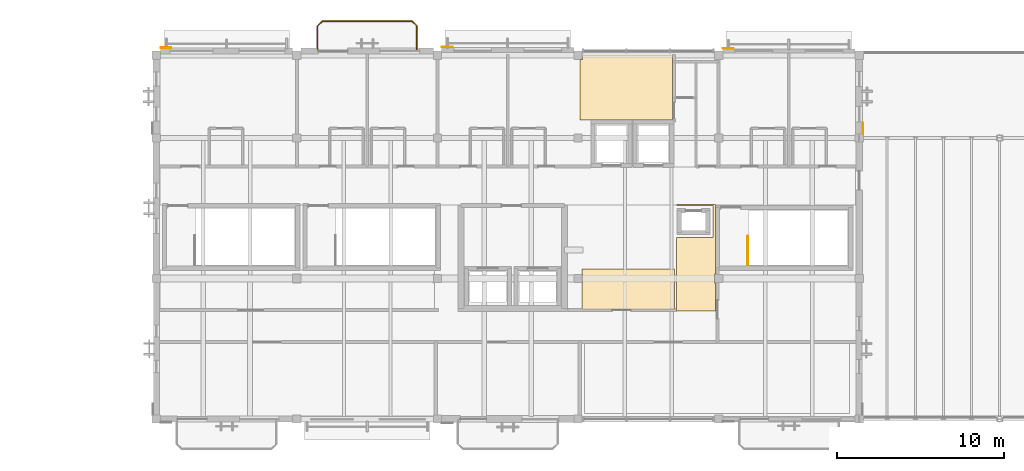
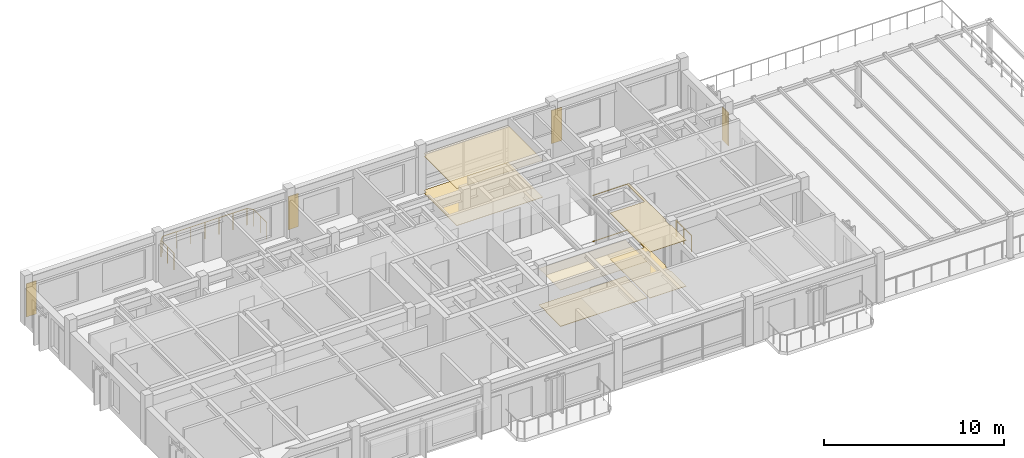
# One storey, part 23 of 24: 10 coverings, 2 railings.
"""IFC4 building model written with IfcOpenShell, lengths in metres."""

import ifcopenshell
import ifcopenshell.guid

model = None  # the IFC model being written
_history = None  # IfcOwnerHistory: only IFC2X3 demands one
_inside = {}  # id of a spatial element -> (the spatial element, [elements in it])
_under = {}  # id of a project, library or spatial element -> (it, [spatial elements below it])
_declared = {}  # id of a project -> (the project, [libraries it declares])
_typed = {}  # id of a type object -> (the type object, [elements of that type])
_made_of = {}  # id of a material, layer set ... -> (it, [elements and type objects made of it])


def new_model(schema):
    """Start an empty IFC model of exactly this schema.

    Asked for "IFC4X3", IfcOpenShell would pick the latest addendum, in which some entities
    have other attributes; the version numbers below select the first issue.
    IFC2X3 requires an IfcOwnerHistory on every rooted entity: one is made here for all.
    """
    global model, _history
    if schema == "IFC4X3":
        model = ifcopenshell.file(schema_version=(4, 3, 0, 0))
    else:
        model = ifcopenshell.file(schema=schema)
    _inside.clear()
    _under.clear()
    _declared.clear()
    _typed.clear()
    _made_of.clear()
    _history = None
    if model.schema == "IFC2X3":
        org = make("IfcOrganization", Name="unknown")
        user = make(
            "IfcPersonAndOrganization",
            ThePerson=make("IfcPerson", FamilyName="unknown"),
            TheOrganization=org,
        )
        app = make(
            "IfcApplication",
            ApplicationDeveloper=org,
            Version="unknown",
            ApplicationFullName="unknown",
            ApplicationIdentifier="unknown",
        )
        _history = make(
            "IfcOwnerHistory",
            OwningUser=user,
            OwningApplication=app,
            ChangeAction="ADDED",
            CreationDate=0,
        )
    return model


def make(cls, **values):
    """One entity of the class cls with the attributes given. An attribute that is None is left unset."""
    return model.create_entity(
        cls, **{name: value for name, value in values.items() if value is not None}
    )


def rooted(cls, **values):
    """An entity with a GlobalId (a new one), such as an element, a storey or a relation."""
    return make(cls, GlobalId=ifcopenshell.guid.new(), OwnerHistory=_history, **values)


def si_unit(unit_type, name, prefix=None):
    """IfcSIUnit, for example si_unit("LENGTHUNIT", "METRE", prefix="MILLI")."""
    return make("IfcSIUnit", UnitType=unit_type, Prefix=prefix, Name=name)


def assignment(units):
    """IfcUnitAssignment: the units of a project."""
    return None if units is None else make("IfcUnitAssignment", Units=units)


def point(xyz):
    """IfcCartesianPoint."""
    return None if xyz is None else make("IfcCartesianPoint", Coordinates=xyz)


def direction(xyz):
    """IfcDirection."""
    return None if xyz is None else make("IfcDirection", DirectionRatios=xyz)


def frame(location, z_axis=None, x_axis=None):
    """IfcAxis2Placement3D, a coordinate frame: its origin and axes. An axis left out is left unset."""
    return make(
        "IfcAxis2Placement3D",
        Location=point(location),
        Axis=direction(z_axis),
        RefDirection=direction(x_axis),
    )


def frame_2d(location, x_axis=None):
    """IfcAxis2Placement2D, a coordinate frame in the plane: its origin and x axis."""
    return make(
        "IfcAxis2Placement2D", Location=point(location), RefDirection=direction(x_axis)
    )


def origin():
    """The frame at (0, 0, 0) with its axes left unset."""
    return frame((0.0, 0.0, 0.0))


def origin_2d():
    """The frame at (0, 0) in the plane with its x axis left unset."""
    return frame_2d((0.0, 0.0))


def place(relative_to, where):
    """IfcLocalPlacement: puts the frame where relative to a parent placement (None: the world)."""
    return make(
        "IfcLocalPlacement", PlacementRelTo=relative_to, RelativePlacement=where
    )


def context(
    kind, dimensions, precision=None, world=None, true_north=None, identifier=None
):
    """IfcGeometricRepresentationContext, for example the 3D "Model" context."""
    return make(
        "IfcGeometricRepresentationContext",
        ContextIdentifier=identifier,
        ContextType=kind,
        CoordinateSpaceDimension=dimensions,
        Precision=precision,
        WorldCoordinateSystem=world,
        TrueNorth=true_north,
    )


def subcontext(parent, identifier, kind, view, scale=None):
    """IfcGeometricRepresentationSubContext, for example "Body" below "Model"."""
    return make(
        "IfcGeometricRepresentationSubContext",
        ContextIdentifier=identifier,
        ContextType=kind,
        ParentContext=parent,
        TargetScale=scale,
        TargetView=view,
    )


def project(units=None, contexts=None):
    """IfcProject with its units and contexts."""
    return rooted(
        "IfcProject",
        Name="project",
        RepresentationContexts=contexts,
        UnitsInContext=assignment(units),
    )


def spatial(cls, under=None, at=None, **own):
    """A site, building, storey or space (cls), placed at a placement, below another one or the project."""
    s = rooted(cls, ObjectPlacement=at, **own)
    if under is not None:
        _under.setdefault(under.id(), (under, []))[1].append(s)
    return s


def polyline(points):
    """IfcPolyline through the points."""
    return make("IfcPolyline", Points=[point(p) for p in points])


def profile(cls, at=None, kind="AREA", **sizes):
    """A parametric profile (cls). Its sizes go by their IFC names, for example OverallWidth=200.0."""
    return make(cls, ProfileType=kind, Position=at, **sizes)


def circle(**sizes):
    """IfcCircleProfileDef."""
    return profile("IfcCircleProfileDef", **sizes)


def outline(outer, holes=None, kind="AREA"):
    """IfcArbitraryClosedProfileDef: a profile drawn as a closed curve; with holes, ...WithVoids."""
    if holes is None:
        return make("IfcArbitraryClosedProfileDef", ProfileType=kind, OuterCurve=outer)
    return make(
        "IfcArbitraryProfileDefWithVoids",
        ProfileType=kind,
        OuterCurve=outer,
        InnerCurves=holes,
    )


def extrude(swept, where, along, depth):
    """IfcExtrudedAreaSolid: the profile swept, set in the frame where, extruded along a direction by depth."""
    return make(
        "IfcExtrudedAreaSolid",
        SweptArea=swept,
        Position=where,
        ExtrudedDirection=direction(along),
        Depth=depth,
    )


def shape(context_of_items, identifier, shape_type, items):
    """IfcShapeRepresentation: the items that make up one representation, for example the "Body"."""
    return make(
        "IfcShapeRepresentation",
        ContextOfItems=context_of_items,
        RepresentationIdentifier=identifier,
        RepresentationType=shape_type,
        Items=items,
    )


def material(Name=None, Category=None):
    """IfcMaterial."""
    return make("IfcMaterial", Name=Name, Category=Category)


def layer(
    of_material, thickness, ventilated=None, Name=None, Category=None, Priority=None
):
    """IfcMaterialLayer: one layer of a wall or slab, of a material (None: an air gap)."""
    return make(
        "IfcMaterialLayer",
        Material=of_material,
        LayerThickness=thickness,
        IsVentilated=ventilated,
        Name=Name,
        Category=Category,
        Priority=Priority,
    )


def layer_set(layers, Name=None):
    """IfcMaterialLayerSet."""
    return make("IfcMaterialLayerSet", MaterialLayers=layers, LayerSetName=Name)


def made_of(thing, what):
    """Note that an element or type object is made of a material, layer set ...; save() writes the relation."""
    if what is not None:
        _made_of.setdefault(what.id(), (what, []))[1].append(thing)
    return thing


def type_object(cls, material=None, **own):
    """A type object (cls), such as IfcWallType, which elements share."""
    return made_of(rooted(cls, **own), material)


def element(
    cls,
    number,
    at=None,
    inside=None,
    cuts=None,
    type_object=None,
    material=None,
    context=None,
    identifier="Body",
    shape_type=None,
    held_by="IfcProductDefinitionShape",
    body=None,
    shapes=None,
    **own,
):
    """One element of the class cls, such as IfcWall. Its Tag is "e" and its number.

    at: its placement. inside: the storey or other place that contains it. cuts: it is an
    opening in that element (IfcRelVoidsElement). A single representation is given by context,
    identifier, shape_type and body (its items); several are given by shapes. held_by: the class
    of the entity that holds the representations. save() writes the other relations.
    """
    e = rooted(cls, Tag="e%d" % number, ObjectPlacement=at, **own)
    if body is not None:
        shapes = [shape(context, identifier, shape_type, body)]
    if shapes is not None:
        e.Representation = make(held_by, Representations=shapes)
    if inside is not None:
        _inside.setdefault(inside.id(), (inside, []))[1].append(e)
    if cuts is not None:
        rooted(
            "IfcRelVoidsElement", RelatingBuildingElement=cuts, RelatedOpeningElement=e
        )
    if type_object is not None:
        _typed.setdefault(type_object.id(), (type_object, []))[1].append(e)
    return made_of(e, material)


def aggregate(whole, parts):
    """IfcRelAggregates: a whole, such as a stair, and the parts it consists of."""
    return rooted("IfcRelAggregates", RelatingObject=whole, RelatedObjects=parts)


def save(model, path):
    """Write the relations noted so far, then the file.

    IfcRelAggregates (storeys below a building ...), IfcRelContainedInSpatialStructure (elements
    in a storey), IfcRelDefinesByType, IfcRelAssociatesMaterial and IfcRelDeclares: one each for
    every whole, place, type object, material and project.
    """
    for whole, parts in _under.values():
        aggregate(whole, parts)
    for where, things in _inside.values():
        rooted(
            "IfcRelContainedInSpatialStructure",
            RelatedElements=things,
            RelatingStructure=where,
        )
    for kind, things in _typed.values():
        rooted("IfcRelDefinesByType", RelatedObjects=things, RelatingType=kind)
    for what, things in _made_of.values():
        rooted("IfcRelAssociatesMaterial", RelatedObjects=things, RelatingMaterial=what)
    for by, libraries in _declared.values():
        rooted("IfcRelDeclares", RelatingContext=by, RelatedDefinitions=libraries)
    model.write(path)


model = new_model("IFC4")

# Units and contexts
model_context = context("Model", 3, precision=1e-05, world=origin(), true_north=direction((0.0, 1.0)))
body_context = subcontext(model_context, "Body", "Model", "MODEL_VIEW")
ifc_project = project(units=[si_unit("LENGTHUNIT", "METRE"), si_unit("AREAUNIT", "SQUARE_METRE"), si_unit("VOLUMEUNIT", "CUBIC_METRE"), si_unit("PLANEANGLEUNIT", "RADIAN"), si_unit("MASSUNIT", "GRAM", prefix="KILO")], contexts=[model_context])

# Site, building, storey
site_placement = place(None, origin())
site = spatial("IfcSite", under=ifc_project, at=site_placement, CompositionType="ELEMENT")
building_placement = place(site_placement, origin())
building = spatial("IfcBuilding", under=site, at=building_placement, Name="Cumbredor Promenade Congress Hotel", CompositionType="ELEMENT")
storey_placement = place(building_placement, frame((0.0, 0.0, 35.280029296875)))
storey = spatial("IfcBuildingStorey", under=building, at=storey_placement, Name="L10", CompositionType="ELEMENT", Elevation=35.280029296875)

# Coverings
ifc_material_1 = material(Name="Acoustic mineral-fiber and gypsum ceiling")
ifc_layer_1 = layer(ifc_material_1, 0.02197265625, Name="Acoustic mineral-fiber and gypsum ceiling")
ifc_layer_set_1 = layer_set([ifc_layer_1], Name="Acoustic mineral-fiber and gypsum ceiling")
covering_type_1 = type_object("IfcCoveringType", Name="Acoustic Perforated Gypsum Ceiling CLG-02 22mm", PredefinedType="CEILING", material=ifc_layer_set_1)
covering_1_placement = place(storey_placement, frame((0.0, 0.0, 2.508056640625)))
element("IfcCovering", 1, at=covering_1_placement, inside=storey, type_object=covering_type_1, Name="L10 Cordillera Reading Salon Acoustic Ceiling", PredefinedType="CEILING", context=body_context, shape_type="SweptSolid", body=[
    extrude(outline(polyline([(39.239990234375, 114.1650390625), (39.239990234375, 110.280029296875), (33.72998046875, 110.280029296875), (33.72998046875, 113.89501953125), (33.85498046875, 113.89501953125), (33.85498046875, 114.1650390625), (39.239990234375, 114.1650390625)])), origin(), (0.0, 0.0, 1.0), 0.02197265625),
])
covering_2_placement = place(storey_placement, frame((0.0, 0.0, 2.468994140625)))
element("IfcCovering", 2, at=covering_2_placement, inside=storey, type_object=covering_type_1, Name="L10 Crown Diplomatic Boardroom Acoustic Ceiling", PredefinedType="CEILING", context=body_context, shape_type="SweptSolid", body=[
    extrude(outline(polyline([(33.830078125, 101.3701171875), (39.3701171875, 101.3701171875), (39.3701171875, 98.9599609375), (33.830078125, 98.9599609375), (33.830078125, 100.544921875), (33.85498046875, 100.544921875), (33.85498046875, 101.054931640625), (33.830078125, 101.054931640625), (33.830078125, 101.3701171875)])), origin(), (0.0, 0.0, 1.0), 0.02197265625),
])
ifc_layer_2 = layer(ifc_material_1, 0.028076171875, Name="Acoustic mineral-fiber and gypsum ceiling")
ifc_layer_set_2 = layer_set([ifc_layer_2], Name="Acoustic mineral-fiber and gypsum ceiling")
covering_type_2 = type_object("IfcCoveringType", Name="Acoustic Perforated Gypsum Ceiling CLG-03 28mm", PredefinedType="CEILING", material=ifc_layer_set_2)
covering_3_placement = place(storey_placement, frame((0.0, 0.0, 3.112060546875)))
element("IfcCovering", 3, at=covering_3_placement, inside=storey, type_object=covering_type_2, Name="L10 Crown Vestibule Acoustic Ceiling", PredefinedType="CEILING", context=body_context, shape_type="SweptSolid", body=[
    extrude(outline(polyline([(41.820068359375, 105.219970703125), (41.820068359375, 101.054931640625), (41.7451171875, 101.054931640625), (41.7451171875, 100.544921875), (41.820068359375, 100.544921875), (41.820068359375, 98.860107421875), (39.47998046875, 98.860107421875), (39.47998046875, 103.239990234375), (41.659912109375, 103.239990234375), (41.659912109375, 105.159912109375), (39.47998046875, 105.159912109375), (39.47998046875, 105.219970703125), (41.820068359375, 105.219970703125)])), origin(), (0.0, 0.0, 1.0), 0.02783203125),
])
ifc_material_2 = material(Name="Precast concrete C40/50", Category="concrete")
ifc_layer_3 = layer(ifc_material_2, 0.044921875, Name="Precast concrete C40/50", Category="concrete")
ifc_layer_set_3 = layer_set([ifc_layer_3], Name="Precast concrete C40/50")
covering_type_3 = type_object("IfcCoveringType", Name="Board-Formed Architectural Cladding Panel 45mm", PredefinedType="CLADDING", material=ifc_layer_set_3)
covering_4_placement = place(storey_placement, origin())
element("IfcCovering", 4, at=covering_4_placement, inside=storey, type_object=covering_type_3, Name="L10 Facade Stone Cladding Pier 258", PredefinedType="CLADDING", context=body_context, shape_type="SweptSolid", body=[
    extrude(outline(polyline([(8.65087890625, 114.574951171875), (9.301025390625, 114.574951171875), (9.301025390625, 114.6201171875), (8.65087890625, 114.6201171875), (8.65087890625, 114.574951171875)])), origin(), (0.0, 0.0, 1.0), 2.25),
])
covering_5_placement = place(storey_placement, origin())
element("IfcCovering", 5, at=covering_5_placement, inside=storey, type_object=covering_type_3, Name="L10 Facade Stone Cladding Pier 260", PredefinedType="CLADDING", context=body_context, shape_type="SweptSolid", body=[
    extrude(outline(polyline([(42.2509765625, 114.530029296875), (42.90087890625, 114.530029296875), (42.90087890625, 114.574951171875), (42.2509765625, 114.574951171875), (42.2509765625, 114.530029296875)])), origin(), (0.0, 0.0, 1.0), 2.25),
])
covering_6_placement = place(storey_placement, origin())
element("IfcCovering", 6, at=covering_6_placement, inside=storey, type_object=covering_type_3, Name="L10 Facade Stone Cladding Pier 264", PredefinedType="CLADDING", context=body_context, shape_type="SweptSolid", body=[
    extrude(outline(polyline([(50.612548828125, 109.450927734375), (50.612548828125, 110.10107421875), (50.657470703125, 110.10107421875), (50.657470703125, 109.450927734375), (50.612548828125, 109.450927734375)])), origin(), (0.0, 0.0, 1.0), 2.25),
])

# Railing
ifc_material_3 = material(Name="Brushed stainless steel", Category="steel")
railing_type_1 = type_object("IfcRailingType", Name="Interior Void & Stair Guardrail GR-1100", PredefinedType="GUARDRAIL", material=ifc_material_3)
railing_1_placement = place(storey_placement, frame((43.75, 101.6201171875, 0.0)))
element("IfcRailing", 7, at=railing_1_placement, inside=storey, type_object=railing_type_1, Name="L10 ST-03 top well guard 1", PredefinedType="GUARDRAIL", context=body_context, shape_type="SweptSolid", body=[
    extrude(circle(Radius=0.02392578125, at=origin_2d()), frame((0.0, 0.0, 1.09619140625), z_axis=(0.0, 1.0, 0.0), x_axis=(-1.0, 0.0, 0.0)), (0.0, 0.0, 1.0), 1.699951171875),
    extrude(circle(Radius=0.02099609375, at=origin_2d()), origin(), (0.0, 0.0, 1.0), 1.072021484375),
    extrude(circle(Radius=0.02099609375, at=origin_2d()), frame((0.0, 0.85009765625, 0.0)), (0.0, 0.0, 1.0), 1.072021484375),
    extrude(circle(Radius=0.02099609375, at=origin_2d()), frame((0.0, 1.699951171875, 0.0)), (0.0, 0.0, 1.0), 1.072021484375),
])

# Coverings
ifc_material_4 = material(Name="Porcelain stoneware tile", Category="masonry")
ifc_layer_4 = layer(ifc_material_4, 0.02490234375, Name="Porcelain stoneware tile", Category="masonry")
ifc_layer_set_4 = layer_set([ifc_layer_4], Name="Porcelain stoneware tile")
covering_type_4 = type_object("IfcCoveringType", Name="Porcelain Stoneware Flooring FLR-02 25mm", PredefinedType="FLOORING", material=ifc_layer_set_4)
covering_7_placement = place(storey_placement, origin())
element("IfcCovering", 8, at=covering_7_placement, inside=storey, type_object=covering_type_4, Name="L10 Cordillera Reading Salon Porcelain Flooring", PredefinedType="FLOORING", context=body_context, shape_type="SweptSolid", body=[
    extrude(outline(polyline([(39.239990234375, 114.1650390625), (39.239990234375, 110.280029296875), (33.72998046875, 110.280029296875), (33.72998046875, 113.89501953125), (33.85498046875, 113.89501953125), (33.85498046875, 114.1650390625), (39.239990234375, 114.1650390625)])), origin(), (0.0, 0.0, 1.0), 0.02490234375),
])
ifc_layer_5 = layer(ifc_material_4, 0.030029296875, Name="Porcelain stoneware tile", Category="masonry")
ifc_layer_set_5 = layer_set([ifc_layer_5], Name="Porcelain stoneware tile")
covering_type_5 = type_object("IfcCoveringType", Name="Porcelain Stoneware Flooring FLR-03 30mm", PredefinedType="FLOORING", material=ifc_layer_set_5)
covering_8_placement = place(storey_placement, origin())
element("IfcCovering", 9, at=covering_8_placement, inside=storey, type_object=covering_type_5, Name="L10 Crown Vestibule Porcelain Flooring", PredefinedType="FLOORING", context=body_context, shape_type="SweptSolid", body=[
    extrude(outline(polyline([(41.820068359375, 105.219970703125), (41.820068359375, 101.054931640625), (41.7451171875, 101.054931640625), (41.7451171875, 100.544921875), (41.820068359375, 100.544921875), (41.820068359375, 98.860107421875), (39.47998046875, 98.860107421875), (39.47998046875, 103.239990234375), (41.659912109375, 103.239990234375), (41.659912109375, 105.159912109375), (39.47998046875, 105.159912109375), (39.47998046875, 105.219970703125), (41.820068359375, 105.219970703125)])), origin(), (0.0, 0.0, 1.0), 0.030029296875),
])
covering_9_placement = place(storey_placement, origin())
element("IfcCovering", 10, at=covering_9_placement, inside=storey, type_object=covering_type_5, Name="L10 Crown Diplomatic Boardroom Porcelain Flooring", PredefinedType="FLOORING", context=body_context, shape_type="SweptSolid", body=[
    extrude(outline(polyline([(33.830078125, 101.3701171875), (39.3701171875, 101.3701171875), (39.3701171875, 98.9599609375), (33.830078125, 98.9599609375), (33.830078125, 100.544921875), (33.85498046875, 100.544921875), (33.85498046875, 101.054931640625), (33.830078125, 101.054931640625), (33.830078125, 101.3701171875)])), origin(), (0.0, 0.0, 1.0), 0.030029296875),
])

# Railing
railing_type_2 = type_object("IfcRailingType", Name="Sky Garden Glass-and-Steel Balustrade BAL-1150", PredefinedType="BALUSTRADE", material=ifc_material_3)
railing_2_placement = place(storey_placement, frame((18.030029296875, 114.449951171875, 0.0)))
element("IfcRailing", 11, at=railing_2_placement, inside=storey, type_object=railing_type_2, Name="L10 Veranda Balcony Balustrade 060", PredefinedType="BALUSTRADE", context=body_context, shape_type="SweptSolid", body=[
    extrude(circle(Radius=0.02392578125, at=origin_2d()), frame((0.0, 0.0, 1.1259765625), z_axis=(0.0, 1.0, 0.0), x_axis=(-1.0, 0.0, 0.0)), (0.0, 0.0, 1.0), 1.43994140625),
    extrude(circle(Radius=0.02392578125, at=origin_2d()), frame((0.0, 1.43994140625, 1.1259765625), z_axis=(0.707106781187, 0.707106781187, 0.0), x_axis=(-0.707106781187, 0.707106781187, 0.0)), (0.0, 0.0, 1.0), 0.39599609375),
    extrude(circle(Radius=0.02392578125, at=origin_2d()), frame((0.280029296875, 1.719970703125, 1.1259765625), z_axis=(1.0, 0.0, 0.0), x_axis=(0.0, 1.0, 0.0)), (0.0, 0.0, 1.0), 5.3798828125),
    extrude(circle(Radius=0.02392578125, at=origin_2d()), frame((5.659912109375, 1.719970703125, 1.1259765625), z_axis=(0.707106781187, -0.707106781187, 0.0), x_axis=(0.707106781187, 0.707106781187, 0.0)), (0.0, 0.0, 1.0), 0.39599609375),
    extrude(circle(Radius=0.02392578125, at=origin_2d()), frame((5.93994140625, 1.43994140625, 1.1259765625), z_axis=(0.0, -1.0, 0.0), x_axis=(1.0, 0.0, 0.0)), (0.0, 0.0, 1.0), 1.43994140625),
    extrude(circle(Radius=0.02099609375, at=origin_2d()), origin(), (0.0, 0.0, 1.0), 1.101806640625),
    extrude(circle(Radius=0.02099609375, at=origin_2d()), frame((0.0, 0.719970703125, 0.0)), (0.0, 0.0, 1.0), 1.101806640625),
    extrude(circle(Radius=0.02099609375, at=origin_2d()), frame((0.0, 1.43994140625, 0.0)), (0.0, 0.0, 1.0), 1.101806640625),
    extrude(circle(Radius=0.02099609375, at=origin_2d()), frame((0.280029296875, 1.719970703125, 0.0)), (0.0, 0.0, 1.0), 1.101806640625),
    extrude(circle(Radius=0.02099609375, at=origin_2d()), frame((1.1767578125, 1.719970703125, 0.0)), (0.0, 0.0, 1.0), 1.101806640625),
    extrude(circle(Radius=0.02099609375, at=origin_2d()), frame((2.0732421875, 1.719970703125, 0.0)), (0.0, 0.0, 1.0), 1.101806640625),
    extrude(circle(Radius=0.02099609375, at=origin_2d()), frame((2.969970703125, 1.719970703125, 0.0)), (0.0, 0.0, 1.0), 1.101806640625),
    extrude(circle(Radius=0.02099609375, at=origin_2d()), frame((3.86669921875, 1.719970703125, 0.0)), (0.0, 0.0, 1.0), 1.101806640625),
    extrude(circle(Radius=0.02099609375, at=origin_2d()), frame((4.76318359375, 1.719970703125, 0.0)), (0.0, 0.0, 1.0), 1.101806640625),
    extrude(circle(Radius=0.02099609375, at=origin_2d()), frame((5.659912109375, 1.719970703125, 0.0)), (0.0, 0.0, 1.0), 1.101806640625),
    extrude(circle(Radius=0.02099609375, at=origin_2d()), frame((5.93994140625, 1.43994140625, 0.0)), (0.0, 0.0, 1.0), 1.101806640625),
    extrude(circle(Radius=0.02099609375, at=origin_2d()), frame((5.93994140625, 0.719970703125, 0.0)), (0.0, 0.0, 1.0), 1.101806640625),
    extrude(circle(Radius=0.02099609375, at=origin_2d()), frame((5.93994140625, 0.0, 0.0)), (0.0, 0.0, 1.0), 1.101806640625),
])

# Covering
ifc_material_5 = material(Name="Volcanic andesite ashlar cladding", Category="masonry")
ifc_layer_6 = layer(ifc_material_5, 0.034912109375, Name="Volcanic andesite ashlar cladding", Category="masonry")
ifc_layer_set_6 = layer_set([ifc_layer_6], Name="Volcanic andesite ashlar cladding")
covering_type_6 = type_object("IfcCoveringType", Name="Volcanic Andesite Ashlar Rainscreen Cladding 35mm", PredefinedType="CLADDING", material=ifc_layer_set_6)
covering_10_placement = place(storey_placement, origin())
element("IfcCovering", 12, at=covering_10_placement, inside=storey, type_object=covering_type_6, Name="L10 Facade Stone Cladding Pier 259", PredefinedType="CLADDING", context=body_context, shape_type="SweptSolid", body=[
    extrude(outline(polyline([(25.450927734375, 114.612548828125), (26.10107421875, 114.612548828125), (26.10107421875, 114.6474609375), (25.450927734375, 114.6474609375), (25.450927734375, 114.612548828125)])), origin(), (0.0, 0.0, 1.0), 2.25),
])

save(model, "model.ifc")
